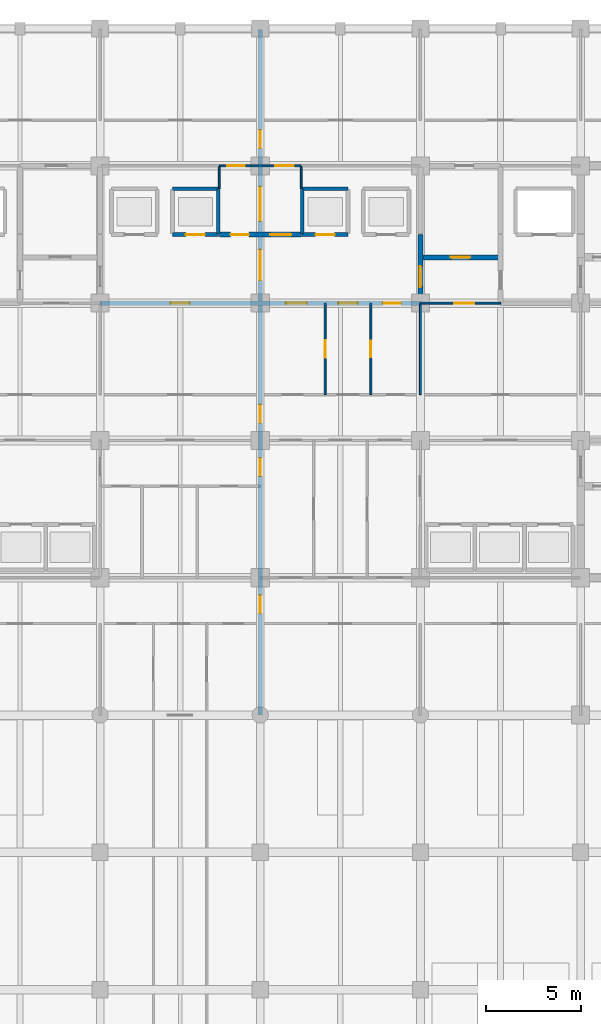
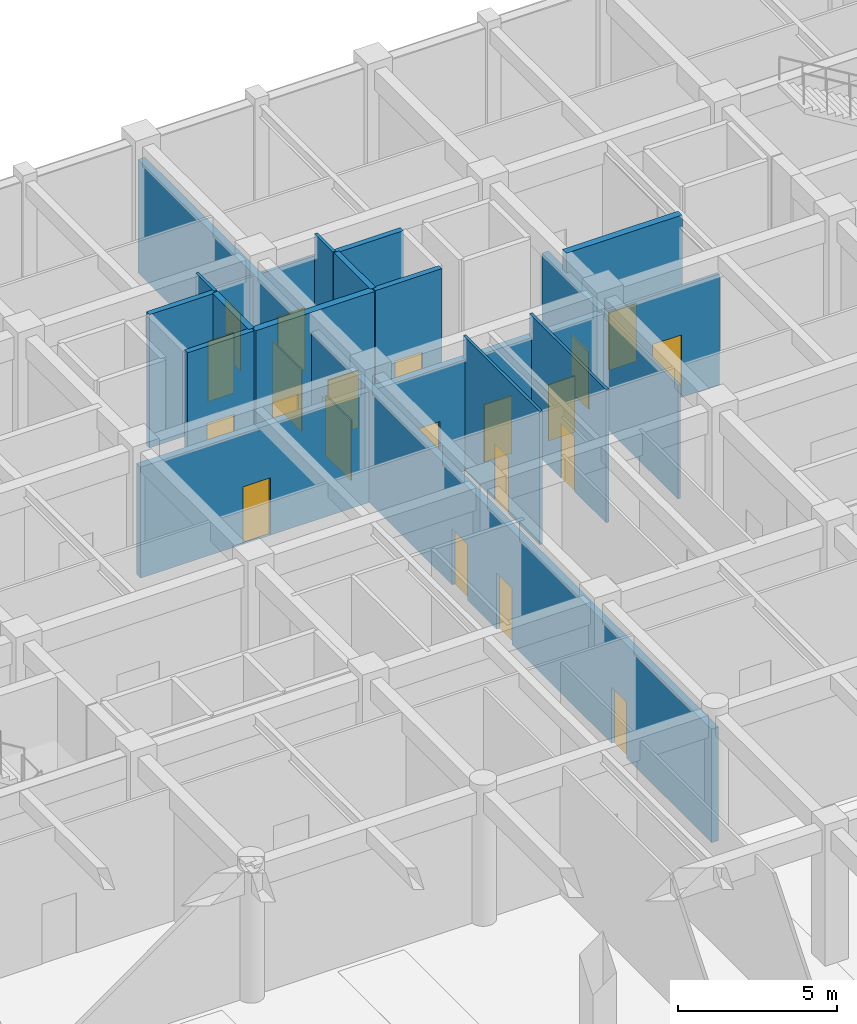
# One storey, part 31 of 48: 21 doors, 18 walls, 21 openings.
"""IFC4 building model written with IfcOpenShell, lengths in metres."""

from ifc_helpers import new_model, si_unit, direction, frame, frame_2d, origin, place, context, subcontext, project, spatial, rectangle, extrude, material, layer, layer_set, type_object, element, fill, save


model = new_model("IFC4")

# Units and contexts
model_context = context("Model", 3, precision=1e-05, world=origin(), true_north=direction((0.0, 1.0)))
body_context = subcontext(model_context, "Body", "Model", "MODEL_VIEW")
ifc_project = project(units=[si_unit("LENGTHUNIT", "METRE"), si_unit("AREAUNIT", "SQUARE_METRE"), si_unit("VOLUMEUNIT", "CUBIC_METRE"), si_unit("PLANEANGLEUNIT", "RADIAN"), si_unit("MASSUNIT", "GRAM", prefix="KILO")], contexts=[model_context])

# Site, building, storey
site_placement = place(None, origin())
site = spatial("IfcSite", under=ifc_project, at=site_placement, CompositionType="ELEMENT")
building_placement = place(site_placement, origin())
building = spatial("IfcBuilding", under=site, at=building_placement, Name="Chengyuan Square Courthouse", CompositionType="ELEMENT")
storey_placement = place(building_placement, frame((0.0, 0.0, -5.39990234375)))
storey = spatial("IfcBuildingStorey", under=building, at=storey_placement, Name="B01", CompositionType="ELEMENT", Elevation=-5.39990234375)

# Wall, openings, doors
ifc_material_1 = material(Name="Concrete C40", Category="concrete")
ifc_layer_1 = layer(ifc_material_1, 0.25)
ifc_layer_set_1 = layer_set([ifc_layer_1], Name="Concrete C40")
wall_type_1 = type_object("IfcWallType", Name="WL-FW1", PredefinedType="STANDARD", material=ifc_layer_set_1)
wall_1_placement = place(storey_placement, frame((75.60009765625, 100.800048828125, 0.0), z_axis=(0.0, 0.0, 1.0), x_axis=(1.0, 0.0, 0.0)))
wall_1 = element("IfcWall", 1, at=wall_1_placement, inside=storey, type_object=wall_type_1, Name="Interior Wall WL-B01-I360", PredefinedType="STANDARD", context=body_context, shape_type="SweptSolid", body=[
    extrude(rectangle(XDim=16.7998046875, YDim=0.25, at=frame_2d((8.39990234375, 0.0))), origin(), (0.0, 0.0, 1.0), 4.25),
])
opening_1_placement = place(wall_1_placement, frame((3.699951171875, 0.0, 0.0)))
opening_1 = element("IfcOpeningElement", 2, at=opening_1_placement, cuts=wall_1, Name="Opening DR-421", PredefinedType="OPENING", context=body_context, shape_type="SweptSolid", body=[
    extrude(rectangle(XDim=1.0, YDim=2.199951171875, at=frame_2d((0.5, 1.10009765625))), frame((0.0, 0.136962890625, 0.0), z_axis=(0.0, -1.0, 0.0), x_axis=(1.0, 0.0, 0.0)), (0.0, 0.0, 1.0), 0.27392578125),
])
opening_2_placement = place(wall_1_placement, frame((9.74755859375, 0.0, 0.0)))
opening_2 = element("IfcOpeningElement", 3, at=opening_2_placement, cuts=wall_1, Name="Opening DR-423", PredefinedType="OPENING", context=body_context, shape_type="SweptSolid", body=[
    extrude(rectangle(XDim=1.10009765625, YDim=2.199951171875, at=frame_2d((0.550048828125, 1.10009765625))), frame((0.0, 0.136962890625, 0.0), z_axis=(0.0, -1.0, 0.0), x_axis=(1.0, 0.0, 0.0)), (0.0, 0.0, 1.0), 0.27392578125),
])
opening_3_placement = place(wall_1_placement, frame((12.5, 0.0, 0.0)))
opening_3 = element("IfcOpeningElement", 4, at=opening_3_placement, cuts=wall_1, Name="Opening DR-424", PredefinedType="OPENING", context=body_context, shape_type="SweptSolid", body=[
    extrude(rectangle(XDim=1.0, YDim=2.199951171875, at=frame_2d((0.5, 1.10009765625))), frame((0.0, 0.136962890625, 0.0), z_axis=(0.0, -1.0, 0.0), x_axis=(1.0, 0.0, 0.0)), (0.0, 0.0, 1.0), 0.27392578125),
])
opening_4_placement = place(wall_1_placement, frame((14.827392578125, 0.0, 0.0)))
opening_4 = element("IfcOpeningElement", 5, at=opening_4_placement, cuts=wall_1, Name="Opening DR-425", PredefinedType="OPENING", context=body_context, shape_type="SweptSolid", body=[
    extrude(rectangle(XDim=0.949951171875, YDim=2.14990234375, at=frame_2d((0.47509765625, 1.074951171875))), frame((0.0, 0.136962890625, 0.0), z_axis=(0.0, -1.0, 0.0), x_axis=(1.0, 0.0, 0.0)), (0.0, 0.0, 1.0), 0.27392578125),
])
ifc_material_2 = material(Name="Steel Q235B Fire Door", Category="steel")
door_type_1 = type_object("IfcDoorType", Name="DT-10", OperationType="NOTDEFINED", PredefinedType="DOOR", material=ifc_material_2)
door_1_placement = place(opening_2_placement, origin())
door_1 = element("IfcDoor", 6, at=door_1_placement, inside=storey, type_object=door_type_1, Name="Interior Door DR-423", OperationType="SINGLE_SWING_RIGHT", OverallHeight=2.199951171875, OverallWidth=1.10009765625, PredefinedType="DOOR", context=body_context, shape_type="SweptSolid", body=[
    extrude(rectangle(XDim=1.10009765625, YDim=2.199951171875, at=frame_2d((0.550048828125, 1.10009765625))), frame((0.0, 0.02490234375, 0.0), z_axis=(0.0, -1.0, 0.0), x_axis=(1.0, 0.0, 0.0)), (0.0, 0.0, 1.0), 0.050048828125),
])
fill(opening_2, door_1)
door_type_2 = type_object("IfcDoorType", Name="DT-11", OperationType="NOTDEFINED", PredefinedType="DOOR", material=ifc_material_2)
door_2_placement = place(opening_1_placement, origin())
door_2 = element("IfcDoor", 7, at=door_2_placement, inside=storey, type_object=door_type_2, Name="Interior Door DR-421", OperationType="SINGLE_SWING_RIGHT", OverallHeight=2.199951171875, OverallWidth=1.0, PredefinedType="DOOR", context=body_context, shape_type="SweptSolid", body=[
    extrude(rectangle(XDim=1.0, YDim=2.199951171875, at=frame_2d((0.5, 1.10009765625))), frame((0.0, 0.02490234375, 0.0), z_axis=(0.0, -1.0, 0.0), x_axis=(1.0, 0.0, 0.0)), (0.0, 0.0, 1.0), 0.050048828125),
])
fill(opening_1, door_2)
door_3_placement = place(opening_3_placement, origin())
door_3 = element("IfcDoor", 8, at=door_3_placement, inside=storey, type_object=door_type_2, Name="Interior Door DR-424", OperationType="SINGLE_SWING_LEFT", OverallHeight=2.199951171875, OverallWidth=1.0, PredefinedType="DOOR", context=body_context, shape_type="SweptSolid", body=[
    extrude(rectangle(XDim=1.0, YDim=2.199951171875, at=frame_2d((0.5, 1.10009765625))), frame((0.0, 0.02490234375, 0.0), z_axis=(0.0, -1.0, 0.0), x_axis=(1.0, 0.0, 0.0)), (0.0, 0.0, 1.0), 0.050048828125),
])
fill(opening_3, door_3)
door_type_3 = type_object("IfcDoorType", Name="DT-12", OperationType="NOTDEFINED", PredefinedType="DOOR", material=ifc_material_2)
door_4_placement = place(opening_4_placement, origin())
door_4 = element("IfcDoor", 9, at=door_4_placement, inside=storey, type_object=door_type_3, Name="Interior Door DR-425", OperationType="SINGLE_SWING_RIGHT", OverallHeight=2.14990234375, OverallWidth=0.949951171875, PredefinedType="DOOR", context=body_context, shape_type="SweptSolid", body=[
    extrude(rectangle(XDim=0.949951171875, YDim=2.14990234375, at=frame_2d((0.47509765625, 1.074951171875))), frame((0.0, 0.02490234375, 0.0), z_axis=(0.0, -1.0, 0.0), x_axis=(1.0, 0.0, 0.0)), (0.0, 0.0, 1.0), 0.050048828125),
])
fill(opening_4, door_4)

# Wall, opening, door
wall_2_placement = place(storey_placement, frame((92.39990234375, 103.199951171875, 0.0), z_axis=(0.0, 0.0, 1.0), x_axis=(1.0, 0.0, 0.0)))
wall_2 = element("IfcWall", 10, at=wall_2_placement, inside=storey, type_object=wall_type_1, Name="Interior Wall WL-B01-I375", PredefinedType="STANDARD", context=body_context, shape_type="SweptSolid", body=[
    extrude(rectangle(XDim=4.2001953125, YDim=0.25, at=frame_2d((2.10009765625, 0.0))), origin(), (0.0, 0.0, 1.0), 5.099853515625),
])
opening_5_placement = place(wall_2_placement, frame((1.60009765625, 0.0, 0.0)))
opening_5 = element("IfcOpeningElement", 11, at=opening_5_placement, cuts=wall_2, Name="Opening DR-403", PredefinedType="OPENING", context=body_context, shape_type="SweptSolid", body=[
    extrude(rectangle(XDim=1.0, YDim=2.199951171875, at=frame_2d((0.5, 1.10009765625))), frame((0.0, 0.136962890625, 0.0), z_axis=(0.0, -1.0, 0.0), x_axis=(1.0, 0.0, 0.0)), (0.0, 0.0, 1.0), 0.27392578125),
])
door_5_placement = place(opening_5_placement, origin())
door_5 = element("IfcDoor", 12, at=door_5_placement, inside=storey, type_object=door_type_2, Name="Interior Door DR-403", OperationType="SINGLE_SWING_LEFT", OverallHeight=2.199951171875, OverallWidth=1.0, PredefinedType="DOOR", context=body_context, shape_type="SweptSolid", body=[
    extrude(rectangle(XDim=1.0, YDim=2.199951171875, at=frame_2d((0.5, 1.10009765625))), frame((0.0, 0.02490234375, 0.0), z_axis=(0.0, -1.0, 0.0), x_axis=(1.0, 0.0, 0.0)), (0.0, 0.0, 1.0), 0.050048828125),
])
fill(opening_5, door_5)

# Wall, openings, doors
wall_3_placement = place(storey_placement, frame((81.85009765625, 104.39990234375, 0.0), z_axis=(0.0, 0.0, 1.0), x_axis=(1.0, 0.0, 0.0)))
wall_3 = element("IfcWall", 13, at=wall_3_placement, inside=storey, type_object=wall_type_1, Name="Interior Wall WL-B01-I387", PredefinedType="STANDARD", context=body_context, shape_type="SweptSolid", body=[
    extrude(rectangle(XDim=4.2998046875, YDim=0.25, at=frame_2d((2.14990234375, 0.0))), origin(), (0.0, 0.0, 1.0), 5.099853515625),
])
opening_6_placement = place(wall_3_placement, frame((0.60009765625, 0.0, 0.0)))
opening_6 = element("IfcOpeningElement", 14, at=opening_6_placement, cuts=wall_3, Name="Opening DR-422", PredefinedType="OPENING", context=body_context, shape_type="SweptSolid", body=[
    extrude(rectangle(XDim=0.949951171875, YDim=2.14990234375, at=frame_2d((0.47509765625, 1.074951171875))), frame((0.0, 0.136962890625, 0.0), z_axis=(0.0, -1.0, 0.0), x_axis=(1.0, 0.0, 0.0)), (0.0, 0.0, 1.0), 0.27392578125),
])
opening_7_placement = place(wall_3_placement, frame((2.675048828125, 0.0, 0.0)))
opening_7 = element("IfcOpeningElement", 15, at=opening_7_placement, cuts=wall_3, Name="Opening DR-426", PredefinedType="OPENING", context=body_context, shape_type="SweptSolid", body=[
    extrude(rectangle(XDim=1.10009765625, YDim=2.199951171875, at=frame_2d((0.550048828125, 1.10009765625))), frame((0.0, 0.136962890625, 0.0), z_axis=(0.0, -1.0, 0.0), x_axis=(1.0, 0.0, 0.0)), (0.0, 0.0, 1.0), 0.27392578125),
])
door_6_placement = place(opening_7_placement, origin())
door_6 = element("IfcDoor", 16, at=door_6_placement, inside=storey, type_object=door_type_1, Name="Interior Door DR-426", OperationType="SINGLE_SWING_LEFT", OverallHeight=2.199951171875, OverallWidth=1.10009765625, PredefinedType="DOOR", context=body_context, shape_type="SweptSolid", body=[
    extrude(rectangle(XDim=1.10009765625, YDim=2.199951171875, at=frame_2d((0.550048828125, 1.10009765625))), frame((0.0, 0.02490234375, 0.0), z_axis=(0.0, -1.0, 0.0), x_axis=(1.0, 0.0, 0.0)), (0.0, 0.0, 1.0), 0.050048828125),
])
fill(opening_7, door_6)
door_7_placement = place(opening_6_placement, origin())
door_7 = element("IfcDoor", 17, at=door_7_placement, inside=storey, type_object=door_type_3, Name="Interior Door DR-422", OperationType="SINGLE_SWING_LEFT", OverallHeight=2.14990234375, OverallWidth=0.949951171875, PredefinedType="DOOR", context=body_context, shape_type="SweptSolid", body=[
    extrude(rectangle(XDim=0.949951171875, YDim=2.14990234375, at=frame_2d((0.47509765625, 1.074951171875))), frame((0.0, 0.02490234375, 0.0), z_axis=(0.0, -1.0, 0.0), x_axis=(1.0, 0.0, 0.0)), (0.0, 0.0, 1.0), 0.050048828125),
])
fill(opening_6, door_7)

wall_4_placement = place(storey_placement, frame((84.0, 79.199951171875, 0.0), z_axis=(0.0, 0.0, 1.0), x_axis=(0.0, 1.0, 0.0)))
wall_4 = element("IfcWall", 18, at=wall_4_placement, inside=storey, type_object=wall_type_1, Name="Interior Wall WL-B01-I525", PredefinedType="STANDARD", context=body_context, shape_type="SweptSolid", body=[
    extrude(rectangle(XDim=35.9599609375, YDim=0.25, at=frame_2d((17.97998046875, 0.0))), origin(), (0.0, 0.0, 1.0), 4.349853515625),
])
opening_8_placement = place(wall_4_placement, frame((22.797607421875, 0.0, 0.0)))
opening_8 = element("IfcOpeningElement", 19, at=opening_8_placement, cuts=wall_4, Name="Opening DR-420", PredefinedType="OPENING", context=body_context, shape_type="SweptSolid", body=[
    extrude(rectangle(XDim=1.60009765625, YDim=2.300048828125, at=frame_2d((0.800048828125, 1.14990234375))), frame((0.0, 0.136962890625, 0.0), z_axis=(0.0, -1.0, 0.0), x_axis=(1.0, 0.0, 0.0)), (0.0, 0.0, 1.0), 0.27392578125),
])
opening_9_placement = place(wall_4_placement, frame((12.527587890625, 0.0, 0.0)))
opening_9 = element("IfcOpeningElement", 20, at=opening_9_placement, cuts=wall_4, Name="Opening DR-479", PredefinedType="OPENING", context=body_context, shape_type="SweptSolid", body=[
    extrude(rectangle(XDim=0.949951171875, YDim=2.14990234375, at=frame_2d((0.47509765625, 1.074951171875))), frame((0.0, 0.136962890625, 0.0), z_axis=(0.0, -1.0, 0.0), x_axis=(1.0, 0.0, 0.0)), (0.0, 0.0, 1.0), 0.27392578125),
])
opening_10_placement = place(wall_4_placement, frame((15.322509765625, 0.0, 0.0)))
opening_10 = element("IfcOpeningElement", 21, at=opening_10_placement, cuts=wall_4, Name="Opening DR-497", PredefinedType="OPENING", context=body_context, shape_type="SweptSolid", body=[
    extrude(rectangle(XDim=0.949951171875, YDim=2.14990234375, at=frame_2d((0.47509765625, 1.074951171875))), frame((0.0, 0.136962890625, 0.0), z_axis=(0.0, -1.0, 0.0), x_axis=(1.0, 0.0, 0.0)), (0.0, 0.0, 1.0), 0.27392578125),
])
opening_11_placement = place(wall_4_placement, frame((25.902587890625, 0.0, 0.0)))
opening_11 = element("IfcOpeningElement", 22, at=opening_11_placement, cuts=wall_4, Name="Opening DR-589", PredefinedType="OPENING", context=body_context, shape_type="SweptSolid", body=[
    extrude(rectangle(XDim=1.800048828125, YDim=2.35009765625, at=frame_2d((0.89990234375, 1.175048828125))), frame((0.0, 0.136962890625, 0.0), z_axis=(0.0, -1.0, 0.0), x_axis=(1.0, 0.0, 0.0)), (0.0, 0.0, 1.0), 0.27392578125),
])
opening_12_placement = place(wall_4_placement, frame((29.722412109375, 0.0, 0.0)))
opening_12 = element("IfcOpeningElement", 23, at=opening_12_placement, cuts=wall_4, Name="Opening DR-599", PredefinedType="OPENING", context=body_context, shape_type="SweptSolid", body=[
    extrude(rectangle(XDim=0.949951171875, YDim=2.14990234375, at=frame_2d((0.47509765625, 1.074951171875))), frame((0.0, 0.136962890625, 0.0), z_axis=(0.0, -1.0, 0.0), x_axis=(1.0, 0.0, 0.0)), (0.0, 0.0, 1.0), 0.27392578125),
])
opening_13_placement = place(wall_4_placement, frame((5.327392578125, 0.0, 0.0)))
opening_13 = element("IfcOpeningElement", 24, at=opening_13_placement, cuts=wall_4, Name="Opening DR-620", PredefinedType="OPENING", context=body_context, shape_type="SweptSolid", body=[
    extrude(rectangle(XDim=0.949951171875, YDim=2.14990234375, at=frame_2d((0.47509765625, 1.074951171875))), frame((0.0, 0.136962890625, 0.0), z_axis=(0.0, -1.0, 0.0), x_axis=(1.0, 0.0, 0.0)), (0.0, 0.0, 1.0), 0.27392578125),
])
door_8_placement = place(opening_9_placement, origin())
door_8 = element("IfcDoor", 25, at=door_8_placement, inside=storey, type_object=door_type_3, Name="Interior Door DR-479", OperationType="SINGLE_SWING_LEFT", OverallHeight=2.14990234375, OverallWidth=0.949951171875, PredefinedType="DOOR", context=body_context, shape_type="SweptSolid", body=[
    extrude(rectangle(XDim=0.949951171875, YDim=2.14990234375, at=frame_2d((0.47509765625, 1.074951171875))), frame((0.0, 0.02490234375, 0.0), z_axis=(0.0, -1.0, 0.0), x_axis=(1.0, 0.0, 0.0)), (0.0, 0.0, 1.0), 0.050048828125),
])
fill(opening_9, door_8)
door_9_placement = place(opening_10_placement, origin())
door_9 = element("IfcDoor", 26, at=door_9_placement, inside=storey, type_object=door_type_3, Name="Interior Door DR-497", OperationType="SINGLE_SWING_LEFT", OverallHeight=2.14990234375, OverallWidth=0.949951171875, PredefinedType="DOOR", context=body_context, shape_type="SweptSolid", body=[
    extrude(rectangle(XDim=0.949951171875, YDim=2.14990234375, at=frame_2d((0.47509765625, 1.074951171875))), frame((0.0, 0.02490234375, 0.0), z_axis=(0.0, -1.0, 0.0), x_axis=(1.0, 0.0, 0.0)), (0.0, 0.0, 1.0), 0.050048828125),
])
fill(opening_10, door_9)
door_10_placement = place(opening_12_placement, origin())
door_10 = element("IfcDoor", 27, at=door_10_placement, inside=storey, type_object=door_type_3, Name="Interior Door DR-599", OperationType="SINGLE_SWING_RIGHT", OverallHeight=2.14990234375, OverallWidth=0.949951171875, PredefinedType="DOOR", context=body_context, shape_type="SweptSolid", body=[
    extrude(rectangle(XDim=0.949951171875, YDim=2.14990234375, at=frame_2d((0.47509765625, 1.074951171875))), frame((0.0, 0.02490234375, 0.0), z_axis=(0.0, -1.0, 0.0), x_axis=(1.0, 0.0, 0.0)), (0.0, 0.0, 1.0), 0.050048828125),
])
fill(opening_12, door_10)
door_11_placement = place(opening_13_placement, origin())
door_11 = element("IfcDoor", 28, at=door_11_placement, inside=storey, type_object=door_type_3, Name="Interior Door DR-620", OperationType="SINGLE_SWING_LEFT", OverallHeight=2.14990234375, OverallWidth=0.949951171875, PredefinedType="DOOR", context=body_context, shape_type="SweptSolid", body=[
    extrude(rectangle(XDim=0.949951171875, YDim=2.14990234375, at=frame_2d((0.47509765625, 1.074951171875))), frame((0.0, 0.02490234375, 0.0), z_axis=(0.0, -1.0, 0.0), x_axis=(1.0, 0.0, 0.0)), (0.0, 0.0, 1.0), 0.050048828125),
])
fill(opening_13, door_11)
ifc_material_3 = material(Name="Steel Q235B Glazed Fire Door", Category="steel")
door_type_4 = type_object("IfcDoorType", Name="DT-17", OperationType="DOUBLE_DOOR_SINGLE_SWING", PredefinedType="DOOR", material=ifc_material_3)
door_12_placement = place(opening_8_placement, frame((1.60009765625, 0.0, 0.0), z_axis=(0.0, 0.0, 1.0), x_axis=(-1.0, 0.0, 0.0)))
door_12 = element("IfcDoor", 29, at=door_12_placement, inside=storey, type_object=door_type_4, Name="Interior Door DR-420", OperationType="DOUBLE_DOOR_SINGLE_SWING", OverallHeight=2.300048828125, OverallWidth=1.60009765625, PredefinedType="DOOR", context=body_context, shape_type="SweptSolid", body=[
    extrude(rectangle(XDim=1.60009765625, YDim=2.300048828125, at=frame_2d((0.800048828125, 1.14990234375))), frame((0.0, 0.02490234375, 0.0), z_axis=(0.0, -1.0, 0.0), x_axis=(1.0, 0.0, 0.0)), (0.0, 0.0, 1.0), 0.050048828125),
])
fill(opening_8, door_12)
door_type_5 = type_object("IfcDoorType", Name="DT-18", OperationType="DOUBLE_DOOR_SINGLE_SWING", PredefinedType="DOOR", material=ifc_material_3)
door_13_placement = place(opening_11_placement, frame((1.800048828125, 0.0, 0.0), z_axis=(0.0, 0.0, 1.0), x_axis=(-1.0, 0.0, 0.0)))
door_13 = element("IfcDoor", 30, at=door_13_placement, inside=storey, type_object=door_type_5, Name="Interior Door DR-589", OperationType="DOUBLE_DOOR_SINGLE_SWING", OverallHeight=2.35009765625, OverallWidth=1.800048828125, PredefinedType="DOOR", context=body_context, shape_type="SweptSolid", body=[
    extrude(rectangle(XDim=1.800048828125, YDim=2.35009765625, at=frame_2d((0.89990234375, 1.175048828125))), frame((0.0, 0.02490234375, 0.0), z_axis=(0.0, -1.0, 0.0), x_axis=(1.0, 0.0, 0.0)), (0.0, 0.0, 1.0), 0.050048828125),
])
fill(opening_11, door_13)

# Wall, opening, door
wall_5_placement = place(storey_placement, frame((92.39990234375, 100.800048828125, 0.0), z_axis=(0.0, 0.0, 1.0), x_axis=(0.0, 1.0, 0.0)))
wall_5 = element("IfcWall", 31, at=wall_5_placement, inside=storey, type_object=wall_type_1, Name="Interior Wall WL-B01-I539", PredefinedType="STANDARD", context=body_context, shape_type="SweptSolid", body=[
    extrude(rectangle(XDim=3.599853515625, YDim=0.25, at=frame_2d((1.7998046875, 0.0))), origin(), (0.0, 0.0, 1.0), 4.349853515625),
])
opening_14_placement = place(wall_5_placement, frame((0.847412109375, 0.0, 0.0)))
opening_14 = element("IfcOpeningElement", 32, at=opening_14_placement, cuts=wall_5, Name="Opening DR-405", PredefinedType="OPENING", context=body_context, shape_type="SweptSolid", body=[
    extrude(rectangle(XDim=1.10009765625, YDim=2.199951171875, at=frame_2d((0.550048828125, 1.10009765625))), frame((0.0, 0.136962890625, 0.0), z_axis=(0.0, -1.0, 0.0), x_axis=(1.0, 0.0, 0.0)), (0.0, 0.0, 1.0), 0.27392578125),
])
door_14_placement = place(opening_14_placement, origin())
door_14 = element("IfcDoor", 33, at=door_14_placement, inside=storey, type_object=door_type_1, Name="Interior Door DR-405", OperationType="SINGLE_SWING_LEFT", OverallHeight=2.199951171875, OverallWidth=1.10009765625, PredefinedType="DOOR", context=body_context, shape_type="SweptSolid", body=[
    extrude(rectangle(XDim=1.10009765625, YDim=2.199951171875, at=frame_2d((0.550048828125, 1.10009765625))), frame((0.0, 0.02490234375, 0.0), z_axis=(0.0, -1.0, 0.0), x_axis=(1.0, 0.0, 0.0)), (0.0, 0.0, 1.0), 0.050048828125),
])
fill(opening_14, door_14)

ifc_material_4 = material(Name="Gypsum Plasterboard Acoustic Stud Partition")
ifc_layer_2 = layer(ifc_material_4, 0.10009765625)
ifc_layer_set_2 = layer_set([ifc_layer_2], Name="Gypsum Plasterboard Acoustic Stud Partition")
wall_type_2 = type_object("IfcWallType", Name="WL-PT6", PredefinedType="STANDARD", material=ifc_layer_set_2)
wall_6_placement = place(storey_placement, frame((92.39990234375, 100.800048828125, 0.0), z_axis=(0.0, 0.0, 1.0), x_axis=(1.0, 0.0, 0.0)))
wall_6 = element("IfcWall", 34, at=wall_6_placement, inside=storey, type_object=wall_type_2, Name="Interior Wall WL-B01-I361", PredefinedType="STANDARD", context=body_context, shape_type="SweptSolid", body=[
    extrude(rectangle(XDim=4.2001953125, YDim=0.10009765625, at=frame_2d((2.10009765625, 0.0))), origin(), (0.0, 0.0, 1.0), 4.25),
])
opening_15_placement = place(wall_6_placement, frame((1.767578125, 0.0, 0.0)))
opening_15 = element("IfcOpeningElement", 35, at=opening_15_placement, cuts=wall_6, Name="Opening DR-406", PredefinedType="OPENING", context=body_context, shape_type="SweptSolid", body=[
    extrude(rectangle(XDim=1.06005859375, YDim=2.39990234375, at=frame_2d((0.530029296875, 1.199951171875))), frame((0.0, 0.06201171875, 0.0), z_axis=(0.0, -1.0, 0.0), x_axis=(1.0, 0.0, 0.0)), (0.0, 0.0, 1.0), 0.1240234375),
])
ifc_material_5 = material(Name="Acoustic Solid-Core Timber Door", Category="wood")
door_type_6 = type_object("IfcDoorType", Name="DT-42", OperationType="NOTDEFINED", PredefinedType="DOOR", material=ifc_material_5)
door_15_placement = place(opening_15_placement, origin())
door_15 = element("IfcDoor", 36, at=door_15_placement, inside=storey, type_object=door_type_6, Name="Interior Door DR-406", OperationType="SINGLE_SWING_RIGHT", OverallHeight=2.39990234375, OverallWidth=1.06005859375, PredefinedType="DOOR", context=body_context, shape_type="SweptSolid", body=[
    extrude(rectangle(XDim=1.06005859375, YDim=2.39990234375, at=frame_2d((0.530029296875, 1.199951171875))), frame((0.0, 0.02490234375, 0.0), z_axis=(0.0, -1.0, 0.0), x_axis=(1.0, 0.0, 0.0)), (0.0, 0.0, 1.0), 0.050048828125),
])
fill(opening_15, door_15)

# Wall, openings, doors
wall_7_placement = place(storey_placement, frame((81.85009765625, 108.0, 0.0), z_axis=(0.0, 0.0, 1.0), x_axis=(1.0, 0.0, 0.0)))
wall_7 = element("IfcWall", 37, at=wall_7_placement, inside=storey, type_object=wall_type_2, Name="Interior Wall WL-B01-I415", PredefinedType="STANDARD", context=body_context, shape_type="SweptSolid", body=[
    extrude(rectangle(XDim=4.2998046875, YDim=0.10009765625, at=frame_2d((2.14990234375, 0.0))), origin(), (0.0, 0.0, 1.0), 4.25),
])
opening_16_placement = place(wall_7_placement, frame((0.407470703125, 0.0, 0.0)))
opening_16 = element("IfcOpeningElement", 38, at=opening_16_placement, cuts=wall_7, Name="Opening DR-590", PredefinedType="OPENING", context=body_context, shape_type="SweptSolid", body=[
    extrude(rectangle(XDim=0.93994140625, YDim=2.300048828125, at=frame_2d((0.469970703125, 1.14990234375))), frame((0.0, 0.06201171875, 0.0), z_axis=(0.0, -1.0, 0.0), x_axis=(1.0, 0.0, 0.0)), (0.0, 0.0, 1.0), 0.1240234375),
])
opening_17_placement = place(wall_7_placement, frame((2.9326171875, 0.0, 0.0)))
opening_17 = element("IfcOpeningElement", 39, at=opening_17_placement, cuts=wall_7, Name="Opening DR-591", PredefinedType="OPENING", context=body_context, shape_type="SweptSolid", body=[
    extrude(rectangle(XDim=0.97998046875, YDim=2.35009765625, at=frame_2d((0.489990234375, 1.175048828125))), frame((0.0, 0.06201171875, 0.0), z_axis=(0.0, -1.0, 0.0), x_axis=(1.0, 0.0, 0.0)), (0.0, 0.0, 1.0), 0.1240234375),
])
door_type_7 = type_object("IfcDoorType", Name="DT-39", OperationType="NOTDEFINED", PredefinedType="DOOR", material=ifc_material_5)
door_16_placement = place(opening_16_placement, origin())
door_16 = element("IfcDoor", 40, at=door_16_placement, inside=storey, type_object=door_type_7, Name="Interior Door DR-590", OperationType="SINGLE_SWING_LEFT", OverallHeight=2.300048828125, OverallWidth=0.93994140625, PredefinedType="DOOR", context=body_context, shape_type="SweptSolid", body=[
    extrude(rectangle(XDim=0.93994140625, YDim=2.300048828125, at=frame_2d((0.469970703125, 1.14990234375))), frame((0.0, 0.02490234375, 0.0), z_axis=(0.0, -1.0, 0.0), x_axis=(1.0, 0.0, 0.0)), (0.0, 0.0, 1.0), 0.050048828125),
])
fill(opening_16, door_16)
door_type_8 = type_object("IfcDoorType", Name="DT-40", OperationType="NOTDEFINED", PredefinedType="DOOR", material=ifc_material_5)
door_17_placement = place(opening_17_placement, origin())
door_17 = element("IfcDoor", 41, at=door_17_placement, inside=storey, type_object=door_type_8, Name="Interior Door DR-591", OperationType="SINGLE_SWING_RIGHT", OverallHeight=2.35009765625, OverallWidth=0.97998046875, PredefinedType="DOOR", context=body_context, shape_type="SweptSolid", body=[
    extrude(rectangle(XDim=0.97998046875, YDim=2.35009765625, at=frame_2d((0.489990234375, 1.175048828125))), frame((0.0, 0.02490234375, 0.0), z_axis=(0.0, -1.0, 0.0), x_axis=(1.0, 0.0, 0.0)), (0.0, 0.0, 1.0), 0.050048828125),
])
fill(opening_17, door_17)

# Walls
for number, where, z_axis, x_axis, name in (
    (42, (81.85009765625, 106.800048828125, 0.0), (0.0, 0.0, 1.0), (0.0, 1.0, 0.0), "Interior Wall WL-B01-I524"),
    (43, (86.14990234375, 106.800048828125, 0.0), (0.0, 0.0, 1.0), (0.0, 1.0, 0.0), "Interior Wall WL-B01-I526"),
):
    element("IfcWall", number, at=place(storey_placement, frame(where, z_axis=z_axis, x_axis=x_axis)), inside=storey, type_object=wall_type_2, Name=name, PredefinedType="STANDARD", context=body_context, shape_type="SweptSolid", body=[
        extrude(rectangle(XDim=1.14990234375, YDim=0.10009765625, at=frame_2d((0.574951171875, 0.0))), origin(), (0.0, 0.0, 1.0), 5.099853515625),
    ])

# Wall, opening, door
wall_8_placement = place(storey_placement, frame((87.39990234375, 96.0, 0.0), z_axis=(0.0, 0.0, 1.0), x_axis=(0.0, 1.0, 0.0)))
wall_8 = element("IfcWall", 44, at=wall_8_placement, inside=storey, type_object=wall_type_2, Name="Interior Wall WL-B01-I529", PredefinedType="STANDARD", context=body_context, shape_type="SweptSolid", body=[
    extrude(rectangle(XDim=4.800048828125, YDim=0.10009765625, at=frame_2d((2.39990234375, 0.0))), origin(), (0.0, 0.0, 1.0), 5.099853515625),
])
opening_18_placement = place(wall_8_placement, frame((1.949951171875, 0.0, 0.0)))
opening_18 = element("IfcOpeningElement", 45, at=opening_18_placement, cuts=wall_8, Name="Opening DR-544", PredefinedType="OPENING", context=body_context, shape_type="SweptSolid", body=[
    extrude(rectangle(XDim=0.89990234375, YDim=2.14990234375, at=frame_2d((0.449951171875, 1.074951171875))), frame((0.0, 0.06201171875, 0.0), z_axis=(0.0, -1.0, 0.0), x_axis=(1.0, 0.0, 0.0)), (0.0, 0.0, 1.0), 0.1240234375),
])
door_type_9 = type_object("IfcDoorType", Name="DT-27", OperationType="NOTDEFINED", PredefinedType="DOOR", material=ifc_material_5)
door_18_placement = place(opening_18_placement, origin())
door_18 = element("IfcDoor", 46, at=door_18_placement, inside=storey, type_object=door_type_9, Name="Interior Door DR-544", OperationType="SINGLE_SWING_LEFT", OverallHeight=2.14990234375, OverallWidth=0.89990234375, PredefinedType="DOOR", context=body_context, shape_type="SweptSolid", body=[
    extrude(rectangle(XDim=0.89990234375, YDim=2.14990234375, at=frame_2d((0.449951171875, 1.074951171875))), frame((0.0, 0.02490234375, 0.0), z_axis=(0.0, -1.0, 0.0), x_axis=(1.0, 0.0, 0.0)), (0.0, 0.0, 1.0), 0.050048828125),
])
fill(opening_18, door_18)

wall_9_placement = place(storey_placement, frame((89.800048828125, 96.0, 0.0), z_axis=(0.0, 0.0, 1.0), x_axis=(0.0, 1.0, 0.0)))
wall_9 = element("IfcWall", 47, at=wall_9_placement, inside=storey, type_object=wall_type_2, Name="Interior Wall WL-B01-I533", PredefinedType="STANDARD", context=body_context, shape_type="SweptSolid", body=[
    extrude(rectangle(XDim=4.800048828125, YDim=0.10009765625, at=frame_2d((2.39990234375, 0.0))), origin(), (0.0, 0.0, 1.0), 5.099853515625),
])
opening_19_placement = place(wall_9_placement, frame((1.969970703125, 0.0, 0.0)))
opening_19 = element("IfcOpeningElement", 48, at=opening_19_placement, cuts=wall_9, Name="Opening DR-545", PredefinedType="OPENING", context=body_context, shape_type="SweptSolid", body=[
    extrude(rectangle(XDim=0.860107421875, YDim=2.10009765625, at=frame_2d((0.43017578125, 1.050048828125))), frame((0.0, 0.06201171875, 0.0), z_axis=(0.0, -1.0, 0.0), x_axis=(1.0, 0.0, 0.0)), (0.0, 0.0, 1.0), 0.1240234375),
])
door_type_10 = type_object("IfcDoorType", Name="DT-28", OperationType="NOTDEFINED", PredefinedType="DOOR", material=ifc_material_5)
door_19_placement = place(opening_19_placement, origin())
door_19 = element("IfcDoor", 49, at=door_19_placement, inside=storey, type_object=door_type_10, Name="Interior Door DR-545", OperationType="SINGLE_SWING_RIGHT", OverallHeight=2.10009765625, OverallWidth=0.860107421875, PredefinedType="DOOR", context=body_context, shape_type="SweptSolid", body=[
    extrude(rectangle(XDim=0.860107421875, YDim=2.10009765625, at=frame_2d((0.43017578125, 1.050048828125))), frame((0.0, 0.02490234375, 0.0), z_axis=(0.0, -1.0, 0.0), x_axis=(1.0, 0.0, 0.0)), (0.0, 0.0, 1.0), 0.050048828125),
])
fill(opening_19, door_19)

# Wall
wall_10_placement = place(storey_placement, frame((92.39990234375, 96.0, 0.0), z_axis=(0.0, 0.0, 1.0), x_axis=(0.0, 1.0, 0.0)))
element("IfcWall", 50, at=wall_10_placement, inside=storey, type_object=wall_type_2, Name="Interior Wall WL-B01-I538", PredefinedType="STANDARD", context=body_context, shape_type="SweptSolid", body=[
    extrude(rectangle(XDim=4.800048828125, YDim=0.10009765625, at=frame_2d((2.39990234375, 0.0))), origin(), (0.0, 0.0, 1.0), 4.349853515625),
])

# Wall, opening, door
ifc_material_6 = material(Name="Reinforced Masonry Shaft Enclosure", Category="masonry")
ifc_layer_3 = layer(ifc_material_6, 0.199951171875)
ifc_layer_set_3 = layer_set([ifc_layer_3], Name="Reinforced Masonry Shaft Enclosure")
wall_type_3 = type_object("IfcWallType", Name="WL-SH1", PredefinedType="STANDARD", material=ifc_layer_set_3)
wall_11_placement = place(storey_placement, frame((79.39990234375, 104.39990234375, 0.0), z_axis=(0.0, 0.0, 1.0), x_axis=(1.0, 0.0, 0.0)))
wall_11 = element("IfcWall", 51, at=wall_11_placement, inside=storey, type_object=wall_type_3, Name="Interior Wall WL-B01-I386", PredefinedType="STANDARD", context=body_context, shape_type="SweptSolid", body=[
    extrude(rectangle(XDim=2.400146484375, YDim=0.199951171875, at=frame_2d((1.2001953125, 0.0))), origin(), (0.0, 0.0, 1.0), 5.099853515625),
])
opening_20_placement = place(wall_11_placement, frame((0.699951171875, 0.0, 0.0)))
opening_20 = element("IfcOpeningElement", 52, at=opening_20_placement, cuts=wall_11, Name="Opening LD-010", PredefinedType="OPENING", context=body_context, shape_type="SweptSolid", body=[
    extrude(rectangle(XDim=1.0, YDim=2.14990234375, at=frame_2d((0.5, 1.074951171875))), frame((0.0, 0.112060546875, 0.0), z_axis=(0.0, -1.0, 0.0), x_axis=(1.0, 0.0, 0.0)), (0.0, 0.0, 1.0), 0.223876953125),
])
ifc_material_7 = material(Name="Stainless Steel S30408 Lift Landing Door", Category="steel")
door_type_11 = type_object("IfcDoorType", Name="DT-07", OperationType="DOUBLE_DOOR_SLIDING", PredefinedType="DOOR", material=ifc_material_7)
door_20_placement = place(opening_20_placement, origin())
door_20 = element("IfcDoor", 53, at=door_20_placement, inside=storey, type_object=door_type_11, Name="Lift Landing Door LF-J2 B01", OperationType="DOUBLE_DOOR_SLIDING", OverallHeight=2.14990234375, OverallWidth=1.0, PredefinedType="DOOR", context=body_context, shape_type="SweptSolid", body=[
    extrude(rectangle(XDim=1.0, YDim=2.14990234375, at=frame_2d((0.5, 1.074951171875))), frame((0.0, 0.02490234375, 0.0), z_axis=(0.0, -1.0, 0.0), x_axis=(1.0, 0.0, 0.0)), (0.0, 0.0, 1.0), 0.050048828125),
])
fill(opening_20, door_20)

wall_12_placement = place(storey_placement, frame((86.199951171875, 104.39990234375, 0.0), z_axis=(0.0, 0.0, 1.0), x_axis=(1.0, 0.0, 0.0)))
wall_12 = element("IfcWall", 54, at=wall_12_placement, inside=storey, type_object=wall_type_3, Name="Interior Wall WL-B01-I388", PredefinedType="STANDARD", context=body_context, shape_type="SweptSolid", body=[
    extrude(rectangle(XDim=2.400146484375, YDim=0.199951171875, at=frame_2d((1.2001953125, 0.0))), origin(), (0.0, 0.0, 1.0), 5.099853515625),
])
opening_21_placement = place(wall_12_placement, frame((0.699951171875, 0.0, 0.0)))
opening_21 = element("IfcOpeningElement", 55, at=opening_21_placement, cuts=wall_12, Name="Opening LD-011", PredefinedType="OPENING", context=body_context, shape_type="SweptSolid", body=[
    extrude(rectangle(XDim=1.0, YDim=2.14990234375, at=frame_2d((0.5, 1.074951171875))), frame((0.0, 0.112060546875, 0.0), z_axis=(0.0, -1.0, 0.0), x_axis=(1.0, 0.0, 0.0)), (0.0, 0.0, 1.0), 0.223876953125),
])
door_21_placement = place(opening_21_placement, origin())
door_21 = element("IfcDoor", 56, at=door_21_placement, inside=storey, type_object=door_type_11, Name="Lift Landing Door LF-J3 B01", OperationType="DOUBLE_DOOR_SLIDING", OverallHeight=2.14990234375, OverallWidth=1.0, PredefinedType="DOOR", context=body_context, shape_type="SweptSolid", body=[
    extrude(rectangle(XDim=1.0, YDim=2.14990234375, at=frame_2d((0.5, 1.074951171875))), frame((0.0, 0.02490234375, 0.0), z_axis=(0.0, -1.0, 0.0), x_axis=(1.0, 0.0, 0.0)), (0.0, 0.0, 1.0), 0.050048828125),
])
fill(opening_21, door_21)

# Walls
for number, where, z_axis, x_axis, name in (
    (57, (79.39990234375, 106.800048828125, 0.0), (0.0, 0.0, 1.0), (1.0, 0.0, 0.0), "Interior Wall WL-B01-I398"),
    (58, (86.199951171875, 106.800048828125, 0.0), (0.0, 0.0, 1.0), (1.0, 0.0, 0.0), "Interior Wall WL-B01-I399"),
):
    element("IfcWall", number, at=place(storey_placement, frame(where, z_axis=z_axis, x_axis=x_axis)), inside=storey, type_object=wall_type_3, Name=name, PredefinedType="STANDARD", context=body_context, shape_type="SweptSolid", body=[
        extrude(rectangle(XDim=2.400146484375, YDim=0.199951171875, at=frame_2d((1.2001953125, 0.0))), origin(), (0.0, 0.0, 1.0), 5.099853515625),
    ])
for number, where, z_axis, x_axis, name in (
    (59, (81.800048828125, 104.449951171875, 0.0), (0.0, 0.0, 1.0), (0.0, 1.0, 0.0), "Interior Wall WL-B01-I523"),
    (60, (86.199951171875, 104.449951171875, 0.0), (0.0, 0.0, 1.0), (0.0, 1.0, 0.0), "Interior Wall WL-B01-I527"),
):
    element("IfcWall", number, at=place(storey_placement, frame(where, z_axis=z_axis, x_axis=x_axis)), inside=storey, type_object=wall_type_3, Name=name, PredefinedType="STANDARD", context=body_context, shape_type="SweptSolid", body=[
        extrude(rectangle(XDim=2.300048828125, YDim=0.199951171875, at=frame_2d((1.14990234375, 0.0))), origin(), (0.0, 0.0, 1.0), 5.099853515625),
    ])

save(model, "model.ifc")
